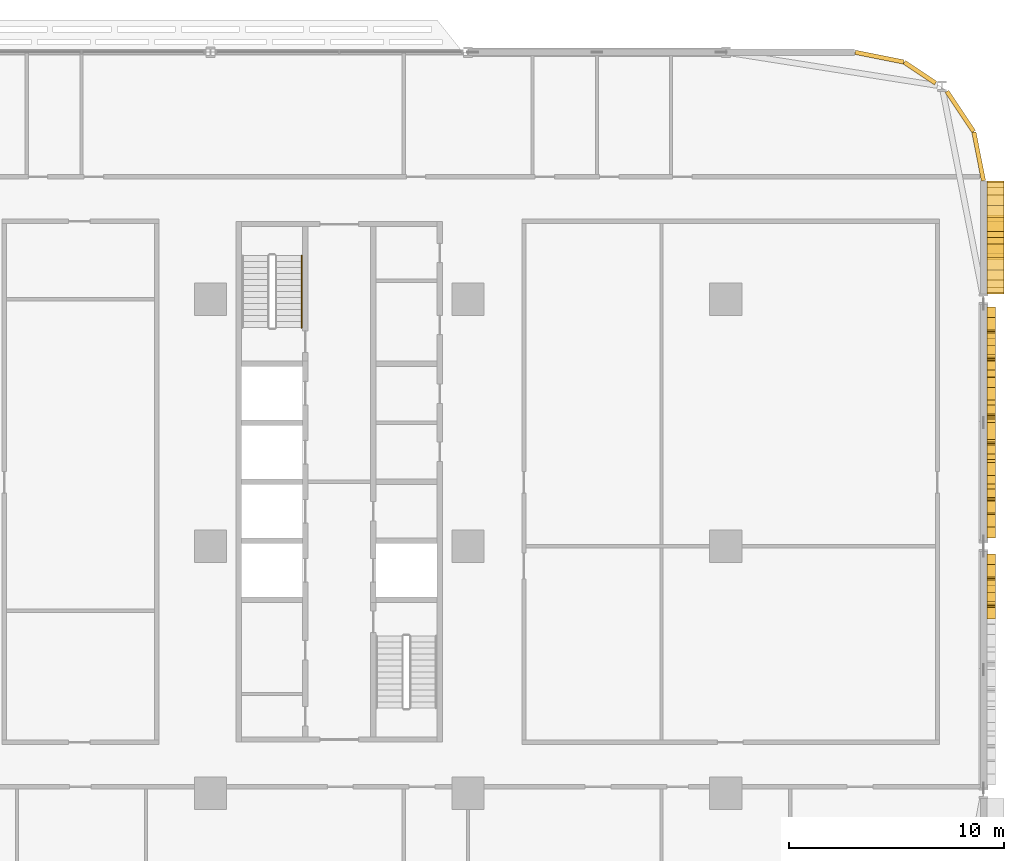
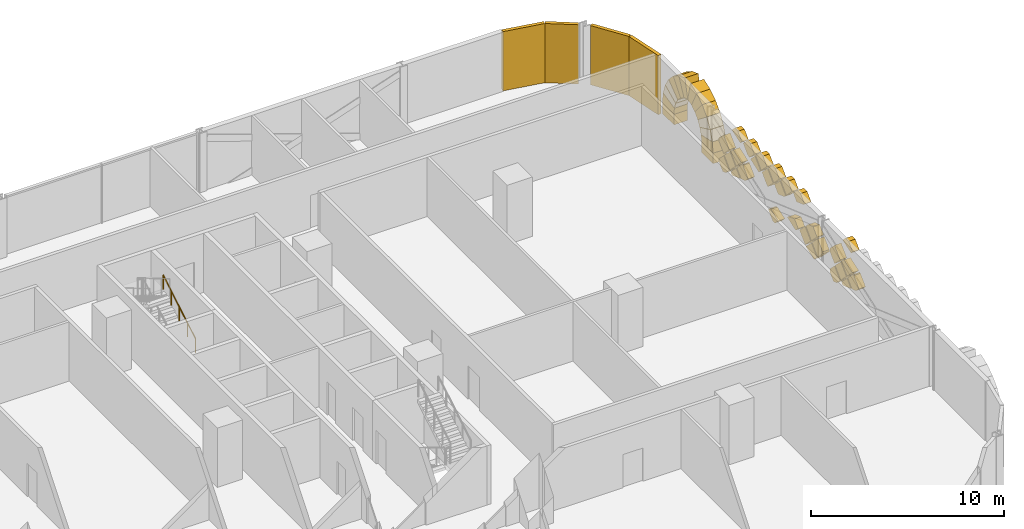
# One storey, part 29 of 29: 46 coverings, 1 railing.
"""IFC4 building model written with IfcOpenShell, lengths in metres."""

from ifc_helpers import new_model, si_unit, direction, frame, origin, origin_2d, place, context, subcontext, project, spatial, polyline, rectangle, circle, outline, extrude, material, layer, layer_set, type_object, element, save


model = new_model("IFC4")

# Units and contexts
model_context = context("Model", 3, precision=1e-05, world=origin(), true_north=direction((0.0, 1.0)))
body_context = subcontext(model_context, "Body", "Model", "MODEL_VIEW")
ifc_project = project(units=[si_unit("LENGTHUNIT", "METRE"), si_unit("AREAUNIT", "SQUARE_METRE"), si_unit("VOLUMEUNIT", "CUBIC_METRE"), si_unit("PLANEANGLEUNIT", "RADIAN"), si_unit("MASSUNIT", "GRAM", prefix="KILO")], contexts=[model_context])

# Site, building, storey
site_placement = place(None, origin())
site = spatial("IfcSite", under=ifc_project, at=site_placement, CompositionType="ELEMENT")
building_placement = place(site_placement, origin())
building = spatial("IfcBuilding", under=site, at=building_placement, Name="Mahtab Terrace Research Tower", CompositionType="ELEMENT")
storey_placement = place(building_placement, frame((0.0, 0.0, 76.10009765625)))
storey = spatial("IfcBuildingStorey", under=building, at=storey_placement, Name="L17", CompositionType="ELEMENT", Elevation=76.10009765625)

# Coverings
ifc_material_1 = material(Name="Black aluminium cladding panel", Category="aluminium")
ifc_layer_1 = layer(ifc_material_1, 0.199951171875)
ifc_layer_set_1 = layer_set([ifc_layer_1], Name="Black metal corner cladding 200")
covering_type_1 = type_object("IfcCoveringType", Name="Black metal corner cladding 200", PredefinedType="CLADDING", material=ifc_layer_set_1)
covering_1_placement = place(storey_placement, frame((52.911376953125, 20.2421875, 0.0), z_axis=(0.0, 0.0, 1.0), x_axis=(-0.555291490808, 0.831655794326, 0.0)))
element("IfcCovering", 1, at=covering_1_placement, inside=storey, type_object=covering_type_1, Name="Corner cladding L17 0", PredefinedType="CLADDING", context=body_context, shape_type="SweptSolid", body=[
    extrude(rectangle(XDim=2.235595703125, YDim=0.199951171875, at=origin_2d()), origin(), (0.0, 0.0, 1.0), 3.75),
])
covering_2_placement = place(storey_placement, frame((51.0380859375, 22.047607421875, 0.0), z_axis=(0.0, 0.0, 1.0), x_axis=(-0.831655794326, 0.555291490808, 0.0)))
element("IfcCovering", 2, at=covering_2_placement, inside=storey, type_object=covering_type_1, Name="Corner cladding L17 1", PredefinedType="CLADDING", context=body_context, shape_type="SweptSolid", body=[
    extrude(rectangle(XDim=1.74462890625, YDim=0.199951171875, at=origin_2d()), origin(), (0.0, 0.0, 1.0), 3.75),
])
for number, where, z_axis, x_axis, name in (
    (3, (49.14794921875, 22.771484375, 0.0), (0.0, 0.0, 1.0), (-0.980760981187, 0.195212442692, 0.0), "Corner cladding L17 2"),
    (4, (53.771484375, 18.14794921875, 0.0), (0.0, 0.0, 1.0), (-0.195212442692, 0.980760981187, 0.0), "Corner cladding L17 39"),
):
    element("IfcCovering", number, at=place(storey_placement, frame(where, z_axis=z_axis, x_axis=x_axis)), inside=storey, type_object=covering_type_1, Name=name, PredefinedType="CLADDING", context=body_context, shape_type="SweptSolid", body=[
        extrude(rectangle(XDim=2.30126953125, YDim=0.199951171875, at=origin_2d()), origin(), (0.0, 0.0, 1.0), 3.75),
    ])
ifc_material_2 = material(Name="Bronze anodised aluminium", Category="aluminium")
ifc_layer_2 = layer(ifc_material_2, 0.39990234375)
ifc_layer_set_2 = layer_set([ifc_layer_2], Name="Mashrabiya relief panel 400")
covering_type_2 = type_object("IfcCoveringType", Name="Mashrabiya relief panel 400", PredefinedType="CLADDING", material=ifc_layer_set_2)
covering_3_placement = place(storey_placement, frame((54.14990234375, -3.39208984375, 1.25), z_axis=(-1.0, 0.0, 0.0), x_axis=(0.0, 0.707268387118, 0.706945138312)))
element("IfcCovering", 5, at=covering_3_placement, inside=storey, type_object=covering_type_2, Name="Mashrabiya lattice cell L17 E36.15", PredefinedType="CLADDING", context=body_context, shape_type="SweptSolid", body=[
    extrude(outline(polyline([(0.0, 0.0), (0.7552715450447627, 0.0), (0.8201888387882768, 0.031059191043271706), (0.8205418397424761, 0.8201668206201074), (0.1911201461732442, 0.8203106884357805), (9.572773472921181e-05, 0.4188088394401965), (0.0, 0.0)])), origin(), (0.0, 0.0, -1.0), 0.39990234375),
])
covering_4_placement = place(storey_placement, frame((54.14990234375, -2.162109375, 1.179931640625), z_axis=(-1.0, 0.0, 0.0), x_axis=(0.0, 0.707106781187, -0.707106781187)))
element("IfcCovering", 6, at=covering_4_placement, inside=storey, type_object=covering_type_2, Name="Mashrabiya lattice cell L17 E36.16", PredefinedType="CLADDING", context=body_context, shape_type="SweptSolid", body=[
    extrude(outline(polyline([(0.0, 0.0), (0.8203543516109556, 0.0), (0.8203543516109555, 0.19231370953169286), (0.0001726334915006511, 0.5826380338145991), (0.0, 0.0)])), origin(), (0.0, 0.0, -1.0), 0.39990234375),
])
covering_5_placement = place(storey_placement, frame((54.14990234375, -1.58203125, 1.89990234375), z_axis=(-1.0, 0.0, 0.0), x_axis=(0.0, -0.707106781187, -0.707106781187)))
element("IfcCovering", 7, at=covering_5_placement, inside=storey, type_object=covering_type_2, Name="Mashrabiya lattice cell L17 E36.17", PredefinedType="CLADDING", context=body_context, shape_type="SweptSolid", body=[
    extrude(outline(polyline([(0.0, 0.0), (0.8203543516109556, 0.0), (0.820181718119455, 0.742496646944175), (0.0, 0.3521723226612688), (0.0, 0.0)])), origin(), (0.0, 0.0, -1.0), 0.39990234375),
])
covering_6_placement = place(storey_placement, frame((54.14990234375, -2.741943359375, 3.199951171875), z_axis=(-1.0, 0.0, 0.0), x_axis=(0.0, 0.707106781187, 0.707106781187)))
element("IfcCovering", 8, at=covering_6_placement, inside=storey, type_object=covering_type_2, Name="Mashrabiya lattice cell L17 E36.18", PredefinedType="CLADDING", context=body_context, shape_type="SweptSolid", body=[
    extrude(outline(polyline([(0.0, 0.0), (0.5869538711021147, 0.0), (0.820181718119455, 0.23322784701734023), (0.820181718119455, 0.632011212383777), (-0.00017263349150062335, 0.24185952159237137), (0.0, 0.0)])), origin(), (0.0, 0.0, -1.0), 0.39990234375),
])
covering_7_placement = place(storey_placement, frame((54.14990234375, -1.511962890625, 1.829833984375), z_axis=(-1.0, 0.0, 0.0), x_axis=(0.0, 0.707255598772, -0.706957932274)))
element("IfcCovering", 9, at=covering_7_placement, inside=storey, type_object=covering_type_2, Name="Mashrabiya lattice cell L17 E36.19", PredefinedType="CLADDING", context=body_context, shape_type="SweptSolid", body=[
    extrude(outline(polyline([(0.0, 0.0), (0.8201817362875763, 0.0), (0.8200090664636573, 0.8203543334390104), (-0.0003452669753531423, 0.8201816636150915), (0.0, 0.0)])), origin(), (0.0, 0.0, -1.0), 0.39990234375),
])
covering_8_placement = place(storey_placement, frame((54.14990234375, -1.44189453125, 0.599853515625), z_axis=(-1.0, 0.0, 0.0), x_axis=(0.0, 0.706957932274, 0.707255598772)))
element("IfcCovering", 10, at=covering_8_placement, inside=storey, type_object=covering_type_2, Name="Mashrabiya lattice cell L17 E36.20", PredefinedType="CLADDING", context=body_context, shape_type="SweptSolid", body=[
    extrude(outline(polyline([(0.0, 0.0), (0.8201817362875763, 0.0), (0.820036173300493, 0.6915697516322971), (0.691224484656944, 0.8203272266021747), (0.1624481482398848, 0.8200432952040049), (0.12930949516452755, 0.7868906890115633), (-0.00010835467485825756, 0.5147930602515003), (0.0, 0.0)])), origin(), (0.0, 0.0, -1.0), 0.39990234375),
])
covering_9_placement = place(storey_placement, frame((54.14990234375, -0.862060546875, 1.31982421875), z_axis=(-1.0, 0.0, 0.0), x_axis=(0.0, -0.706957932274, 0.707255598772)))
element("IfcCovering", 11, at=covering_9_placement, inside=storey, type_object=covering_type_2, Name="Mashrabiya lattice cell L17 E36.21", PredefinedType="CLADDING", context=body_context, shape_type="SweptSolid", body=[
    extrude(outline(polyline([(0.0, 0.0), (0.8201817362875763, 0.0), (0.8205270032629295, 0.8201816636150915), (0.12895725163063232, 0.8203272266021746), (0.00014556298708318094, 0.6915697516322972), (0.0, 0.0)])), origin(), (0.0, 0.0, -1.0), 0.39990234375),
])
covering_10_placement = place(storey_placement, frame((54.14990234375, 0.887939453125, 1.829833984375), z_axis=(-1.0, 0.0, 0.0), x_axis=(0.0, 0.707255598772, -0.706957932274)))
element("IfcCovering", 12, at=covering_10_placement, inside=storey, type_object=covering_type_2, Name="Mashrabiya lattice cell L17 E37.1", PredefinedType="CLADDING", context=body_context, shape_type="SweptSolid", body=[
    extrude(outline(polyline([(0.0, 0.0), (0.8201817362875763, 0.0), (0.8200090664636573, 0.8203543334390104), (0.09184101544392964, 0.8202010671685369), (-0.0001532662704735177, 0.7281680510197277), (0.0, 0.0)])), origin(), (0.0, 0.0, -1.0), 0.39990234375),
])
covering_11_placement = place(storey_placement, frame((54.14990234375, 0.9580078125, 0.599853515625), z_axis=(-1.0, 0.0, 0.0), x_axis=(0.0, 0.707106781187, 0.707106781187)))
element("IfcCovering", 13, at=covering_11_placement, inside=storey, type_object=covering_type_2, Name="Mashrabiya lattice cell L17 E37.2", PredefinedType="CLADDING", context=body_context, shape_type="SweptSolid", body=[
    extrude(outline(polyline([(0.0, 0.0), (0.8203543516109556, 0.0), (0.8203543516109556, 0.8144848128999344), (0.0, 0.4243331221085288), (0.0, 0.0)])), origin(), (0.0, 0.0, -1.0), 0.39990234375),
])
covering_12_placement = place(storey_placement, frame((54.14990234375, 2.117919921875, 1.89990234375), z_axis=(-1.0, 0.0, 0.0), x_axis=(0.0, -0.706957932274, -0.707255598772)))
element("IfcCovering", 14, at=covering_12_placement, inside=storey, type_object=covering_type_2, Name="Mashrabiya lattice cell L17 E37.3", PredefinedType="CLADDING", context=body_context, shape_type="SweptSolid", body=[
    extrude(outline(polyline([(0.0, 0.0), (0.8201817362875763, 0.0), (0.8200090664636573, 0.8203543334390104), (0.23581734416618022, 0.8202313715947045), (-6.787610081662732e-05, 0.32247935497981306), (0.0, 0.0)])), origin(), (0.0, 0.0, -1.0), 0.39990234375),
])
covering_13_placement = place(storey_placement, frame((54.14990234375, 2.18798828125, 1.829833984375), z_axis=(-1.0, 0.0, 0.0), x_axis=(0.0, 0.707255598772, -0.706957932274)))
element("IfcCovering", 15, at=covering_13_placement, inside=storey, type_object=covering_type_2, Name="Mashrabiya lattice cell L17 E37.4", PredefinedType="CLADDING", context=body_context, shape_type="SweptSolid", body=[
    extrude(outline(polyline([(0.0, 0.0), (0.8201817362875763, 0.0), (0.8200090664636573, 0.8203543334390104), (-0.0003452669753531423, 0.8201816636150915), (0.0, 0.0)])), origin(), (0.0, 0.0, -1.0), 0.39990234375),
])
covering_14_placement = place(storey_placement, frame((54.14990234375, 2.258056640625, 3.199951171875), z_axis=(-1.0, 0.0, 0.0), x_axis=(0.0, 0.707106781187, 0.707106781187)))
element("IfcCovering", 16, at=covering_14_placement, inside=storey, type_object=covering_type_2, Name="Mashrabiya lattice cell L17 E37.5", PredefinedType="CLADDING", context=body_context, shape_type="SweptSolid", body=[
    extrude(outline(polyline([(0.0, 0.0), (0.5869538711021147, 0.0), (0.820181718119455, 0.23322784701734023), (0.820181718119455, 0.820181718119455), (0.3266225659191767, 0.8203543516109556), (0.0, 0.13292778845547892), (0.0, 0.0)])), origin(), (0.0, 0.0, -1.0), 0.39990234375),
])
covering_15_placement = place(storey_placement, frame((54.14990234375, 2.907958984375, 1.25), z_axis=(-1.0, 0.0, 0.0), x_axis=(0.0, 0.70733330905, 0.706880180729)))
element("IfcCovering", 17, at=covering_15_placement, inside=storey, type_object=covering_type_2, Name="Mashrabiya lattice cell L17 E37.6", PredefinedType="CLADDING", context=body_context, shape_type="SweptSolid", body=[
    extrude(outline(polyline([(0.0, 0.0), (0.5387891546301997, 0.0), (0.820371567317996, 0.5923879513867856), (0.8204277658499926, 0.7677835697481283), (0.00012146848057528747, 0.3791031278755008), (0.0, 0.0)])), origin(), (0.0, 0.0, -1.0), 0.39990234375),
])
covering_16_placement = place(storey_placement, frame((54.14990234375, 4.718017578125, 3.199951171875), z_axis=(-1.0, 0.0, 0.0), x_axis=(0.0, -0.707106781187, -0.707106781187)))
element("IfcCovering", 18, at=covering_16_placement, inside=storey, type_object=covering_type_2, Name="Mashrabiya lattice cell L17 E37.7", PredefinedType="CLADDING", context=body_context, shape_type="SweptSolid", body=[
    extrude(outline(polyline([(0.0, 0.0), (0.8203543516109556, 0.0), (0.820181718119455, 0.820181718119455), (0.23340048050884088, 0.8203543516109556), (0.0, 0.5869538711021147), (0.0, 0.0)])), origin(), (0.0, 0.0, -1.0), 0.39990234375),
])
covering_17_placement = place(storey_placement, frame((54.14990234375, 4.2080078125, 2.5498046875), z_axis=(-1.0, 0.0, 0.0), x_axis=(0.0, 0.707106781187, 0.707106781187)))
element("IfcCovering", 19, at=covering_17_placement, inside=storey, type_object=covering_type_2, Name="Mashrabiya lattice cell L17 E37.8", PredefinedType="CLADDING", context=body_context, shape_type="SweptSolid", body=[
    extrude(outline(polyline([(0.0, 0.0), (0.8203543516109556, 0.0), (0.820181718119455, 0.820181718119455), (0.2815652246375145, 0.8201817181194551), (0.0, 0.22753094179781974), (0.0, 0.0)])), origin(), (0.0, 0.0, -1.0), 0.39990234375),
])
covering_18_placement = place(storey_placement, frame((54.14990234375, 4.97705078125, 0.48095703125), z_axis=(-1.0, 0.0, 0.0), x_axis=(0.0, 0.942560843875, 0.33403451258)))
element("IfcCovering", 20, at=covering_18_placement, inside=storey, type_object=covering_type_2, Name="Mashrabiya lattice cell L17 E37.9", PredefinedType="CLADDING", context=body_context, shape_type="SweptSolid", body=[
    extrude(outline(polyline([(0.0, 0.0), (0.8200523327200883, 0.0), (0.9643324496299667, 0.11692216793549781), (1.0209360951923119, 0.2356679762385), (0.4272886050719736, 0.5184560866567023), (0.210518020372292, 0.44163467287494523), (0.0, 0.0)])), origin(), (0.0, 0.0, -1.0), 0.39990234375),
])
covering_19_placement = place(storey_placement, frame((54.14990234375, 6.01806640625, 3.199951171875), z_axis=(-1.0, 0.0, 0.0), x_axis=(0.0, -0.707106781187, -0.707106781187)))
element("IfcCovering", 21, at=covering_19_placement, inside=storey, type_object=covering_type_2, Name="Mashrabiya lattice cell L17 E37.10", PredefinedType="CLADDING", context=body_context, shape_type="SweptSolid", body=[
    extrude(outline(polyline([(0.0, 0.0), (0.8203543516109556, 0.0), (0.8203543516109556, 0.8203543516109556), (0.23340048050884088, 0.8203543516109556), (0.0, 0.5869538711021147), (0.0, 0.0)])), origin(), (0.0, 0.0, -1.0), 0.39990234375),
])
covering_20_placement = place(storey_placement, frame((54.14990234375, 5.508056640625, 2.5498046875), z_axis=(-1.0, 0.0, 0.0), x_axis=(0.0, 0.706957932274, 0.707255598772)))
element("IfcCovering", 22, at=covering_20_placement, inside=storey, type_object=covering_type_2, Name="Mashrabiya lattice cell L17 E37.11", PredefinedType="CLADDING", context=body_context, shape_type="SweptSolid", body=[
    extrude(outline(polyline([(0.0, 0.0), (0.8201817362875763, 0.0), (0.8200090664636573, 0.8203543334390104), (0.10461589353199502, 0.820203756050475), (-0.00016220498610569622, 0.7706358889881613), (0.0, 0.0)])), origin(), (0.0, 0.0, -1.0), 0.39990234375),
])
covering_21_placement = place(storey_placement, frame((54.14990234375, 7.318115234375, 3.199951171875), z_axis=(-1.0, 0.0, 0.0), x_axis=(0.0, -0.707106781187, -0.707106781187)))
element("IfcCovering", 23, at=covering_21_placement, inside=storey, type_object=covering_type_2, Name="Mashrabiya lattice cell L17 E37.12", PredefinedType="CLADDING", context=body_context, shape_type="SweptSolid", body=[
    extrude(outline(polyline([(0.0, 0.0), (0.8203543516109556, 0.0), (0.8203543516109556, 0.8203543516109556), (0.23340048050884088, 0.8203543516109556), (0.0, 0.5869538711021147), (0.0, 0.0)])), origin(), (0.0, 0.0, -1.0), 0.39990234375),
])
covering_22_placement = place(storey_placement, frame((54.14990234375, 6.80810546875, 2.5498046875), z_axis=(-1.0, 0.0, 0.0), x_axis=(0.0, 0.706957932274, 0.707255598772)))
element("IfcCovering", 24, at=covering_22_placement, inside=storey, type_object=covering_type_2, Name="Mashrabiya lattice cell L17 E37.13", PredefinedType="CLADDING", context=body_context, shape_type="SweptSolid", body=[
    extrude(outline(polyline([(0.0, 0.0), (0.8201817362875763, 0.0), (0.8200391528723705, 0.6774138056428193), (-6.068152481999989e-05, 0.28829792441985425), (0.0, 0.0)])), origin(), (0.0, 0.0, -1.0), 0.39990234375),
])
covering_23_placement = place(storey_placement, frame((54.14990234375, 7.4580078125, 3.199951171875), z_axis=(-1.0, 0.0, 0.0), x_axis=(0.0, 0.707106781187, 0.707106781187)))
element("IfcCovering", 25, at=covering_23_placement, inside=storey, type_object=covering_type_2, Name="Mashrabiya lattice cell L17 E37.14", PredefinedType="CLADDING", context=body_context, shape_type="SweptSolid", body=[
    extrude(outline(polyline([(0.0, 0.0), (0.5869538711021147, 0.0), (0.820181718119455, 0.23322784701734023), (0.820181718119455, 0.820181718119455), (0.20077275061522337, 0.820181718119455), (0.0, 0.7240248633536085), (0.0, 0.0)])), origin(), (0.0, 0.0, -1.0), 0.39990234375),
])
covering_24_placement = place(storey_placement, frame((54.14990234375, 8.10791015625, 1.25), z_axis=(-1.0, 0.0, 0.0), x_axis=(0.0, 0.707268387118, 0.706945138312)))
element("IfcCovering", 26, at=covering_24_placement, inside=storey, type_object=covering_type_2, Name="Mashrabiya lattice cell L17 E37.15", PredefinedType="CLADDING", context=body_context, shape_type="SweptSolid", body=[
    extrude(outline(polyline([(0.0, 0.0), (0.7552715450447627, 0.0), (0.8201888387882768, 0.031059191043271706), (0.8205418397424761, 0.8201668206201074), (0.1911201461732442, 0.8203106884357805), (9.572773472921181e-05, 0.4188088394401965), (0.0, 0.0)])), origin(), (0.0, 0.0, -1.0), 0.39990234375),
])
covering_25_placement = place(storey_placement, frame((54.14990234375, 9.337890625, 1.179931640625), z_axis=(-1.0, 0.0, 0.0), x_axis=(0.0, 0.707106781187, -0.707106781187)))
element("IfcCovering", 27, at=covering_25_placement, inside=storey, type_object=covering_type_2, Name="Mashrabiya lattice cell L17 E37.16", PredefinedType="CLADDING", context=body_context, shape_type="SweptSolid", body=[
    extrude(outline(polyline([(0.0, 0.0), (0.8203543516109556, 0.0), (0.8203543516109555, 0.19231370953169286), (0.0001726334915006511, 0.5826380338145991), (0.0, 0.0)])), origin(), (0.0, 0.0, -1.0), 0.39990234375),
])
covering_26_placement = place(storey_placement, frame((54.14990234375, 9.91796875, 1.89990234375), z_axis=(-1.0, 0.0, 0.0), x_axis=(0.0, -0.707106781187, -0.707106781187)))
element("IfcCovering", 28, at=covering_26_placement, inside=storey, type_object=covering_type_2, Name="Mashrabiya lattice cell L17 E37.17", PredefinedType="CLADDING", context=body_context, shape_type="SweptSolid", body=[
    extrude(outline(polyline([(0.0, 0.0), (0.8203543516109556, 0.0), (0.820181718119455, 0.742496646944175), (0.0, 0.3521723226612688), (0.0, 0.0)])), origin(), (0.0, 0.0, -1.0), 0.39990234375),
])
covering_27_placement = place(storey_placement, frame((54.14990234375, 8.758056640625, 3.199951171875), z_axis=(-1.0, 0.0, 0.0), x_axis=(0.0, 0.707106781187, 0.707106781187)))
element("IfcCovering", 29, at=covering_27_placement, inside=storey, type_object=covering_type_2, Name="Mashrabiya lattice cell L17 E37.18", PredefinedType="CLADDING", context=body_context, shape_type="SweptSolid", body=[
    extrude(outline(polyline([(0.0, 0.0), (0.5869538711021147, 0.0), (0.820181718119455, 0.23322784701734023), (0.820181718119455, 0.632011212383777), (-0.00017263349150062335, 0.24185952159237137), (0.0, 0.0)])), origin(), (0.0, 0.0, -1.0), 0.39990234375),
])
covering_28_placement = place(storey_placement, frame((54.14990234375, 9.988037109375, 1.829833984375), z_axis=(-1.0, 0.0, 0.0), x_axis=(0.0, 0.707255598772, -0.706957932274)))
element("IfcCovering", 30, at=covering_28_placement, inside=storey, type_object=covering_type_2, Name="Mashrabiya lattice cell L17 E37.19", PredefinedType="CLADDING", context=body_context, shape_type="SweptSolid", body=[
    extrude(outline(polyline([(0.0, 0.0), (0.8201817362875763, 0.0), (0.8200090664636573, 0.8203543334390104), (-0.0003452669753531423, 0.8201816636150915), (0.0, 0.0)])), origin(), (0.0, 0.0, -1.0), 0.39990234375),
])
covering_29_placement = place(storey_placement, frame((54.14990234375, 10.05810546875, 0.599853515625), z_axis=(-1.0, 0.0, 0.0), x_axis=(0.0, 0.706957932274, 0.707255598772)))
element("IfcCovering", 31, at=covering_29_placement, inside=storey, type_object=covering_type_2, Name="Mashrabiya lattice cell L17 E37.20", PredefinedType="CLADDING", context=body_context, shape_type="SweptSolid", body=[
    extrude(outline(polyline([(0.0, 0.0), (0.8201817362875763, 0.0), (0.820036173300493, 0.6915697516322971), (0.691224484656944, 0.8203272266021747), (0.1624481482398848, 0.8200432952040049), (0.12930949516452755, 0.7868906890115633), (-0.00010835467485825756, 0.5147930602515003), (0.0, 0.0)])), origin(), (0.0, 0.0, -1.0), 0.39990234375),
])
covering_30_placement = place(storey_placement, frame((54.14990234375, 10.637939453125, 1.31982421875), z_axis=(-1.0, 0.0, 0.0), x_axis=(0.0, -0.706957932274, 0.707255598772)))
element("IfcCovering", 32, at=covering_30_placement, inside=storey, type_object=covering_type_2, Name="Mashrabiya lattice cell L17 E37.21", PredefinedType="CLADDING", context=body_context, shape_type="SweptSolid", body=[
    extrude(outline(polyline([(0.0, 0.0), (0.8201817362875763, 0.0), (0.8205270032629295, 0.8201816636150915), (0.12895725163063232, 0.8203272266021746), (0.00014556298708318094, 0.6915697516322972), (0.0, 0.0)])), origin(), (0.0, 0.0, -1.0), 0.39990234375),
])
ifc_material_3 = material(Name="Glazed ceramic tile cladding", Category="masonry")
ifc_layer_3 = layer(ifc_material_3, 0.800048828125)
ifc_layer_set_3 = layer_set([ifc_layer_3], Name="Pishtaq frame arch course 800")
covering_type_3 = type_object("IfcCoveringType", Name="Pishtaq frame arch course 800", PredefinedType="CLADDING", material=ifc_layer_set_3)
covering_31_placement = place(storey_placement, frame((54.14990234375, 11.738037109375, 0.664794921875), z_axis=(-1.0, 0.0, 0.0), x_axis=(0.0, 0.110038118256, 0.993927367835)))
element("IfcCovering", 33, at=covering_31_placement, inside=storey, type_object=covering_type_3, Name="Pishtaq frame arch course 38a1", PredefinedType="CLADDING", context=body_context, shape_type="SweptSolid", body=[
    extrude(outline(polyline([(0.0, 0.0), (0.6811382552026428, -1.3877787807814457e-17), (0.5486389973901992, 1.1927213646232582), (0.1320403689527815, 1.1926643097917364), (0.0, 0.0)])), origin(), (0.0, 0.0, -1.0), 0.800048828125),
])
covering_32_placement = place(storey_placement, frame((54.14990234375, 11.81298828125, 1.341796875), z_axis=(-1.0, 0.0, 0.0), x_axis=(0.0, 0.325780818219, 0.94544532284)))
element("IfcCovering", 34, at=covering_32_placement, inside=storey, type_object=covering_type_3, Name="Pishtaq frame arch course 38a2", PredefinedType="CLADDING", context=body_context, shape_type="SweptSolid", body=[
    extrude(outline(polyline([(0.0, 0.0), (0.6812059388217105, 2.7755575615628914e-17), (0.5497887302514443, 1.1931079001716738), (0.1328613748729257, 1.19268108143648), (0.0, 0.0)])), origin(), (0.0, 0.0, -1.0), 0.800048828125),
])
covering_33_placement = place(storey_placement, frame((54.14990234375, 12.034912109375, 1.98583984375), z_axis=(-1.0, 0.0, 0.0), x_axis=(0.0, 0.524317361256, 0.851522932566)))
element("IfcCovering", 35, at=covering_33_placement, inside=storey, type_object=covering_type_3, Name="Pishtaq frame arch course 38a3", PredefinedType="CLADDING", context=body_context, shape_type="SweptSolid", body=[
    extrude(outline(polyline([(0.0, 0.0), (0.6812243133041962, 0.0), (0.5486685594854581, 1.192336724569558), (0.1322121556302095, 1.1930200711069678), (0.0, 0.0)])), origin(), (0.0, 0.0, -1.0), 0.800048828125),
])
covering_34_placement = place(storey_placement, frame((54.14990234375, 12.39208984375, 2.56591796875), z_axis=(-1.0, 0.0, 0.0), x_axis=(0.0, 0.698095545517, 0.716004615438)))
element("IfcCovering", 36, at=covering_34_placement, inside=storey, type_object=covering_type_3, Name="Pishtaq frame arch course 38a4", PredefinedType="CLADDING", context=body_context, shape_type="SweptSolid", body=[
    extrude(outline(polyline([(0.0, 0.0), (0.6816116807798627, 0.0), (0.5484159464284819, 1.1926873913164946), (0.1318213356602329, 1.1924181431412677), (0.0, 0.0)])), origin(), (0.0, 0.0, -1.0), 0.800048828125),
])
covering_35_placement = place(storey_placement, frame((54.14990234375, 12.867919921875, 3.053955078125), z_axis=(-1.0, 0.0, 0.0), x_axis=(0.0, 0.838664730892, 0.544648023183)))
element("IfcCovering", 37, at=covering_35_placement, inside=storey, type_object=covering_type_3, Name="Pishtaq frame arch course 38a5", PredefinedType="CLADDING", context=body_context, shape_type="SweptSolid", body=[
    extrude(outline(polyline([(0.0, 0.0), (0.6808977423760596, 5.551115123125783e-17), (0.5491160665979712, 1.192665934701309), (0.13279072999807795, 1.1927325513631821), (0.0, 0.0)])), origin(), (0.0, 0.0, -1.0), 0.800048828125),
])
covering_36_placement = place(storey_placement, frame((54.14990234375, 13.43896484375, 3.4248046875), z_axis=(-1.0, 0.0, 0.0), x_axis=(0.0, 0.937545490069, 0.347862694252)))
element("IfcCovering", 38, at=covering_36_placement, inside=storey, type_object=covering_type_3, Name="Pishtaq frame arch course 38a6", PredefinedType="CLADDING", context=body_context, shape_type="SweptSolid", body=[
    extrude(outline(polyline([(0.0, 0.0), (0.681477349518529, 0.0), (0.5493838187494436, 1.1925950264148124), (0.1324793338897467, 1.1925886415524665), (0.0, 0.0)])), origin(), (0.0, 0.0, -1.0), 0.800048828125),
])
covering_37_placement = place(storey_placement, frame((54.14990234375, 15.800048828125, 0.664794921875), z_axis=(-1.0, 0.0, 0.0), x_axis=(0.0, -0.110753103056, 0.99384795123)))
element("IfcCovering", 39, at=covering_37_placement, inside=storey, type_object=covering_type_3, Name="Pishtaq frame arch course 38b1", PredefinedType="CLADDING", context=body_context, shape_type="SweptSolid", body=[
    extrude(outline(polyline([(0.0, 0.0), (0.4166256010163943, 0.0), (0.5482397631541787, 1.193059012216795), (-0.13289831580044628, 1.1925690137436873), (0.0, 0.0)])), origin(), (0.0, 0.0, -1.0), 0.800048828125),
])
covering_38_placement = place(storey_placement, frame((54.14990234375, 15.75390625, 1.078857421875), z_axis=(-1.0, 0.0, 0.0), x_axis=(0.0, -0.326225319841, 0.945292039898)))
element("IfcCovering", 40, at=covering_38_placement, inside=storey, type_object=covering_type_3, Name="Pishtaq frame arch course 38b2", PredefinedType="CLADDING", context=body_context, shape_type="SweptSolid", body=[
    extrude(outline(polyline([(0.0, 0.0), (0.4168478651237567, 0.0), (0.5477837182616627, 1.1929387749738467), (-0.13350179011392202, 1.1928492638817882), (0.0, 0.0)])), origin(), (0.0, 0.0, -1.0), 0.800048828125),
])
covering_39_placement = place(storey_placement, frame((54.14990234375, 15.617919921875, 1.472900390625), z_axis=(-1.0, 0.0, 0.0), x_axis=(0.0, -0.523345162134, 0.852120790306)))
element("IfcCovering", 41, at=covering_39_placement, inside=storey, type_object=covering_type_3, Name="Pishtaq frame arch course 38b3", PredefinedType="CLADDING", context=body_context, shape_type="SweptSolid", body=[
    extrude(outline(polyline([(0.0, 0.0), (0.416584682346171, 0.0), (0.5503734142368851, 1.1923926971594363), (-0.13072268556923544, 1.1929621527737666), (0.0, 0.0)])), origin(), (0.0, 0.0, -1.0), 0.800048828125),
])
covering_40_placement = place(storey_placement, frame((54.14990234375, 15.39990234375, 1.827880859375), z_axis=(-1.0, 0.0, 0.0), x_axis=(0.0, -0.698558158692, 0.715553281681)))
element("IfcCovering", 42, at=covering_40_placement, inside=storey, type_object=covering_type_3, Name="Pishtaq frame arch course 38b4", PredefinedType="CLADDING", context=body_context, shape_type="SweptSolid", body=[
    extrude(outline(polyline([(0.0, 0.0), (0.41659469777678254, 0.0), (0.5488490153709191, 1.1929479232106623), (-0.1327625230498758, 1.192507392636839), (0.0, 0.0)])), origin(), (0.0, 0.0, -1.0), 0.800048828125),
])
covering_41_placement = place(storey_placement, frame((54.14990234375, 15.10888671875, 2.1259765625), z_axis=(-1.0, 0.0, 0.0), x_axis=(0.0, -0.838403400401, 0.545050216216)))
element("IfcCovering", 43, at=covering_41_placement, inside=storey, type_object=covering_type_3, Name="Pishtaq frame arch course 38b5", PredefinedType="CLADDING", context=body_context, shape_type="SweptSolid", body=[
    extrude(outline(polyline([(0.0, 0.0), (0.416120632333199, 0.0), (0.5484743411511609, 1.1926025899812387), (-0.132423322903662, 1.1929291745808197), (0.0, 0.0)])), origin(), (0.0, 0.0, -1.0), 0.800048828125),
])
covering_42_placement = place(storey_placement, frame((54.14990234375, 14.760009765625, 2.352783203125), z_axis=(-1.0, 0.0, 0.0), x_axis=(0.0, -0.937621616233, 0.34765745321)))
element("IfcCovering", 44, at=covering_42_placement, inside=storey, type_object=covering_type_3, Name="Pishtaq frame arch course 38b6", PredefinedType="CLADDING", context=body_context, shape_type="SweptSolid", body=[
    extrude(outline(polyline([(0.0, 0.0), (0.41713338779593195, 0.0), (0.5489658512616385, 1.192623913678136), (-0.13274039345640803, 1.192559612687293), (0.0, 0.0)])), origin(), (0.0, 0.0, -1.0), 0.800048828125),
])
ifc_layer_4 = layer(ifc_material_3, 0.800048828125)
ifc_layer_set_4 = layer_set([ifc_layer_4], Name="Pishtaq frame pier 800")
covering_type_4 = type_object("IfcCoveringType", Name="Pishtaq frame pier 800", PredefinedType="CLADDING", material=ifc_layer_set_4)
for number, where, z_axis, x_axis, name in (
    (45, (54.550048828125, 12.337890625, 0.00048828125), (0.0, 0.0, 1.0), (0.0, 1.0, 0.0), "Pishtaq frame pier 38a"),
    (46, (54.550048828125, 16.39990234375, 0.00048828125), (0.0, 0.0, 1.0), (0.0, 1.0, 0.0), "Pishtaq frame pier 38b"),
):
    element("IfcCovering", number, at=place(storey_placement, frame(where, z_axis=z_axis, x_axis=x_axis)), inside=storey, type_object=covering_type_4, Name=name, PredefinedType="CLADDING", context=body_context, shape_type="SweptSolid", body=[
        extrude(rectangle(XDim=1.199951171875, YDim=0.800048828125, at=origin_2d()), origin(), (0.0, 0.0, 1.0), 0.6650390625),
    ])

# Railing
ifc_material_4 = material(Name="Stainless steel AISI 304", Category="steel")
railing_type = type_object("IfcRailingType", Name="Stair handrail 900", PredefinedType="HANDRAIL", material=ifc_material_4)
railing_placement = place(storey_placement, frame((22.25, 10.175048828125, 0.165283203125)))
element("IfcRailing", 47, at=railing_placement, inside=storey, type_object=railing_type, Name="L17 ST3 stair handrail 1", PredefinedType="HANDRAIL", context=body_context, shape_type="SweptSolid", body=[
    extrude(circle(Radius=0.02392578125, at=origin_2d()), frame((0.0, 0.0, 0.8759765625), z_axis=(0.0, 0.861011212953, 0.508585972249), x_axis=(-1.0, 0.0, 0.0)), (0.0, 0.0, 1.0), 3.90234375),
    extrude(circle(Radius=0.02099609375, at=origin_2d()), origin(), (0.0, 0.0, 1.0), 0.851806640625),
    extrude(circle(Radius=0.02099609375, at=origin_2d()), frame((0.0, 0.83984375, 0.49609375)), (0.0, 0.0, 1.0), 0.851806640625),
    extrude(circle(Radius=0.02099609375, at=origin_2d()), frame((0.0, 1.679931640625, 0.9921875)), (0.0, 0.0, 1.0), 0.851806640625),
    extrude(circle(Radius=0.02099609375, at=origin_2d()), frame((0.0, 2.52001953125, 1.488525390625)), (0.0, 0.0, 1.0), 0.851806640625),
    extrude(circle(Radius=0.02099609375, at=origin_2d()), frame((0.0, 3.35986328125, 1.984619140625)), (0.0, 0.0, 1.0), 0.851806640625),
])

save(model, "model.ifc")
